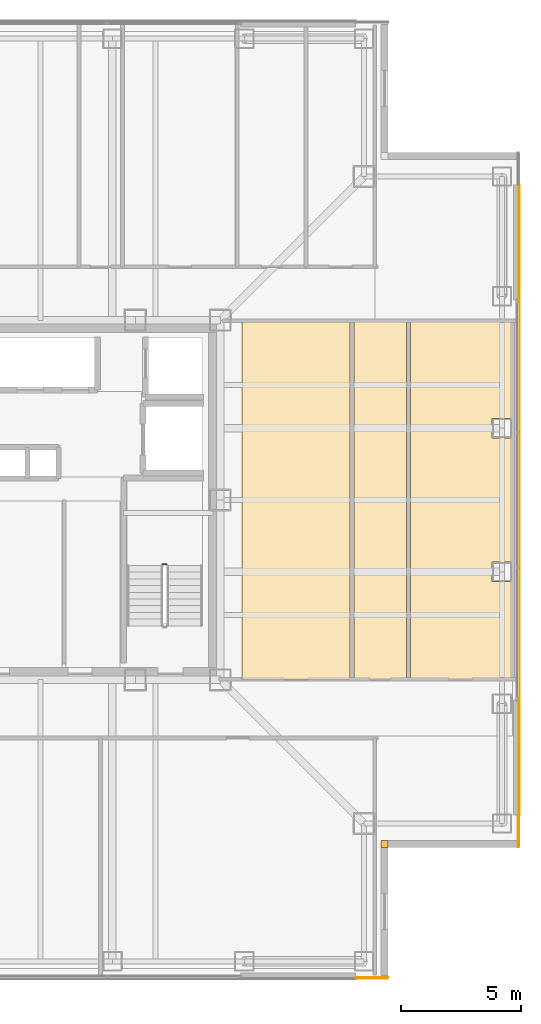
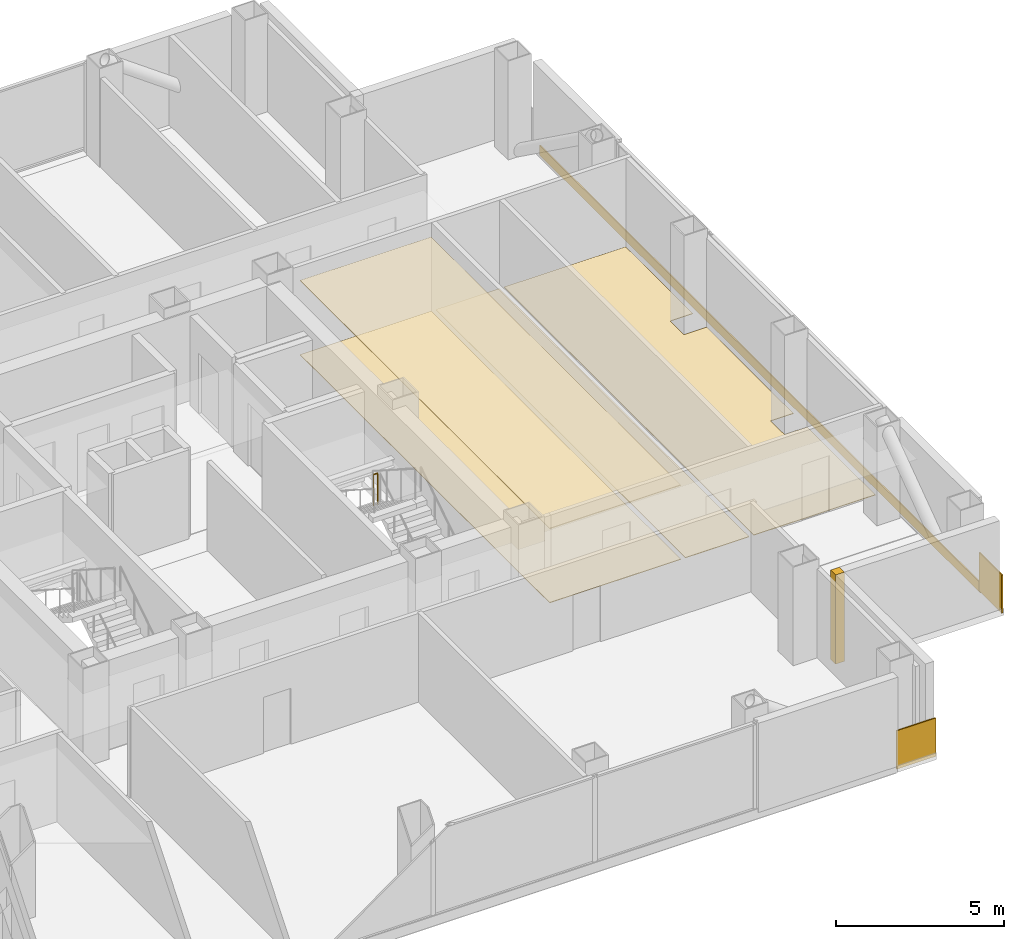
# One storey, part 15 of 16: 8 coverings, 1 railing.
"""IFC4 building model written with IfcOpenShell, lengths in metres."""

from ifc_helpers import new_model, si_unit, direction, frame, frame_2d, origin, origin_2d, place, context, subcontext, project, spatial, polyline, rectangle, circle, outline, extrude, material, layer, layer_set, type_object, element, save


model = new_model("IFC4")

# Units and contexts
model_context = context("Model", 3, precision=1e-05, world=origin(), true_north=direction((0.0, 1.0)))
body_context = subcontext(model_context, "Body", "Model", "MODEL_VIEW")
ifc_project = project(units=[si_unit("LENGTHUNIT", "METRE"), si_unit("AREAUNIT", "SQUARE_METRE"), si_unit("VOLUMEUNIT", "CUBIC_METRE"), si_unit("PLANEANGLEUNIT", "RADIAN"), si_unit("MASSUNIT", "GRAM", prefix="KILO")], contexts=[model_context])

# Site, building, storey
site_placement = place(None, origin())
site = spatial("IfcSite", under=ifc_project, at=site_placement, CompositionType="ELEMENT")
building_placement = place(site_placement, origin())
building = spatial("IfcBuilding", under=site, at=building_placement, Name="Trevonay Congress Spire", CompositionType="ELEMENT")
storey_placement = place(building_placement, frame((0.0, 0.0, 223.800048828125)))
storey = spatial("IfcBuildingStorey", under=building, at=storey_placement, Name="L58", CompositionType="ELEMENT", Elevation=223.800048828125)

# Coverings
ifc_material_1 = material(Name="Acoustic Mineral Fibre Board", Category="gypsum")
ifc_layer_1 = layer(ifc_material_1, 0.02490234375, Name="Acoustic Mineral Fibre Board")
ifc_layer_set_1 = layer_set([ifc_layer_1], Name="Acoustic Mineral Fibre Board")
covering_type_1 = type_object("IfcCoveringType", Name="COV-CEIL-ACOUSTIC", PredefinedType="CEILING", material=ifc_layer_set_1)
covering_1_placement = place(storey_placement, frame((0.0, 0.0, 2.699951171875)))
element("IfcCovering", 1, at=covering_1_placement, inside=storey, type_object=covering_type_1, Name="L58 Catering Kitchen acoustic suspended ceiling", PredefinedType="CEILING", context=body_context, shape_type="SweptSolid", body=[
    extrude(outline(polyline([(8.39990234375, -7.47998046875), (12.919921875, -7.47998046875), (12.919921875, 7.419921875), (8.39990234375, 7.419921875), (8.39990234375, -7.47998046875)])), origin(), (0.0, 0.0, 1.0), 0.02490234375),
])
ifc_material_2 = material(Name="Polished Granite Floor Tile", Category="masonry")
ifc_layer_2 = layer(ifc_material_2, 0.02001953125, Name="Polished Granite Floor Tile")
ifc_layer_set_2 = layer_set([ifc_layer_2], Name="Polished Granite Floor Tile")
covering_type_2 = type_object("IfcCoveringType", Name="COV-FLOOR-STONE", PredefinedType="FLOORING", material=ifc_layer_set_2)
covering_2_placement = place(storey_placement, origin())
element("IfcCovering", 2, at=covering_2_placement, inside=storey, type_object=covering_type_2, Name="L58 Catering Kitchen floor finish", PredefinedType="FLOORING", context=body_context, shape_type="SweptSolid", body=[
    extrude(outline(polyline([(8.39990234375, -7.47998046875), (12.919921875, -7.47998046875), (12.919921875, 7.419921875), (8.39990234375, 7.419921875), (8.39990234375, -7.47998046875)])), origin(), (0.0, 0.0, 1.0), 0.02001953125),
])
covering_3_placement = place(storey_placement, origin())
element("IfcCovering", 3, at=covering_3_placement, inside=storey, type_object=covering_type_2, Name="L58 Male Restroom WC floor finish", PredefinedType="FLOORING", context=body_context, shape_type="SweptSolid", body=[
    extrude(outline(polyline([(13.080078125, -7.47998046875), (15.27001953125, -7.47998046875), (15.27001953125, 7.419921875), (13.080078125, 7.419921875), (13.080078125, -7.47998046875)])), origin(), (0.0, 0.0, 1.0), 0.02001953125),
])
covering_4_placement = place(storey_placement, origin())
element("IfcCovering", 4, at=covering_4_placement, inside=storey, type_object=covering_type_2, Name="L58 Floor Supplies and Copy Room floor finish", PredefinedType="FLOORING", context=body_context, shape_type="SweptSolid", body=[
    extrude(outline(polyline([(19.6201171875, -7.47998046875), (15.429931640625, -7.47998046875), (15.429931640625, 7.419921875), (19.6201171875, 7.419921875), (19.6201171875, 3.409912109375), (18.840087890625, 3.409912109375), (18.840087890625, 2.590087890625), (19.6201171875, 2.590087890625), (19.6201171875, -2.590087890625), (18.840087890625, -2.590087890625), (18.840087890625, -3.409912109375), (19.6201171875, -3.409912109375), (19.6201171875, -7.47998046875)])), origin(), (0.0, 0.0, 1.0), 0.02001953125),
])
ifc_material_3 = material(Name="Pale Anodised Aluminium EN AW-6063-T6", Category="aluminium")
ifc_layer_3 = layer(ifc_material_3, 0.0400390625, Name="Pale Anodised Aluminium EN AW-6063-T6")
ifc_layer_set_3 = layer_set([ifc_layer_3], Name="Pale Anodised Aluminium EN AW-6063-T6")
covering_type_3 = type_object("IfcCoveringType", Name="COV-SPANDREL-PALE-METAL", PredefinedType="CLADDING", material=ifc_layer_set_3)
covering_5_placement = place(storey_placement, frame((19.97998046875, -13.14990234375, -0.239990234375), z_axis=(0.0, 0.0, 1.0), x_axis=(0.0, 1.0, 0.0)))
element("IfcCovering", 5, at=covering_5_placement, inside=storey, type_object=covering_type_3, Name="L58 E pale-metal slab-edge spandrel cladding", PredefinedType="CLADDING", context=body_context, shape_type="SweptSolid", body=[
    extrude(rectangle(XDim=26.2998046875, YDim=0.0400390625, at=frame_2d((13.14990234375, 0.0))), origin(), (0.0, 0.0, 1.0), 0.35986328125),
])
covering_6_placement = place(storey_placement, origin())
element("IfcCovering", 6, at=covering_6_placement, inside=storey, type_object=covering_type_3, Name="L58 SE re-entrant notch corner closure trim", PredefinedType="CLADDING", context=body_context, shape_type="SweptSolid", body=[
    extrude(outline(polyline([(14.199951171875, -14.5), (14.5, -14.5), (14.5, -14.199951171875), (14.199951171875, -14.199951171875), (14.199951171875, -14.5)])), origin(), (0.0, 0.0, 1.0), 3.25),
])
for number, where, z_axis, x_axis, name in (
    (7, (19.93994140625, -13.14990234375, -0.150146484375), (0.0, 0.0, 1.0), (0.0, -1.0, 0.0), "L58 SE corner pier spandrel cladding 1"),
    (8, (13.14990234375, -19.93994140625, -0.150146484375), (0.0, 0.0, 1.0), (1.0, 0.0, 0.0), "L58 SE corner pier spandrel cladding 2"),
):
    element("IfcCovering", number, at=place(storey_placement, frame(where, z_axis=z_axis, x_axis=x_axis)), inside=storey, type_object=covering_type_3, Name=name, PredefinedType="CLADDING", context=body_context, shape_type="SweptSolid", body=[
        extrude(rectangle(XDim=1.35009765625, YDim=0.0400390625, at=frame_2d((0.675048828125, 0.0))), origin(), (0.0, 0.0, 1.0), 1.400146484375),
    ])

# Railing
railing_type = type_object("IfcRailingType", Name="RAL-STAIR-GUARD-110", PredefinedType="GUARDRAIL", material=ifc_material_3)
railing_placement = place(storey_placement, frame((5.25, -2.679931640625, 1.800048828125)))
element("IfcRailing", 9, at=railing_placement, inside=storey, type_object=railing_type, Name="L58 ST-2 stair guard 2", PredefinedType="GUARDRAIL", context=body_context, shape_type="SweptSolid", body=[
    extrude(circle(Radius=0.02392578125, at=origin_2d()), frame((0.0, 0.0, 1.1259765625), z_axis=(-1.0, 0.0, 0.0), x_axis=(0.0, -1.0, 0.0)), (0.0, 0.0, 1.0), 0.14990234375),
    extrude(circle(Radius=0.02099609375, at=origin_2d()), origin(), (0.0, 0.0, 1.0), 1.101806640625),
    extrude(circle(Radius=0.02099609375, at=origin_2d()), frame((-0.14990234375, 0.0, 0.0)), (0.0, 0.0, 1.0), 1.101806640625),
])

save(model, "model.ifc")
